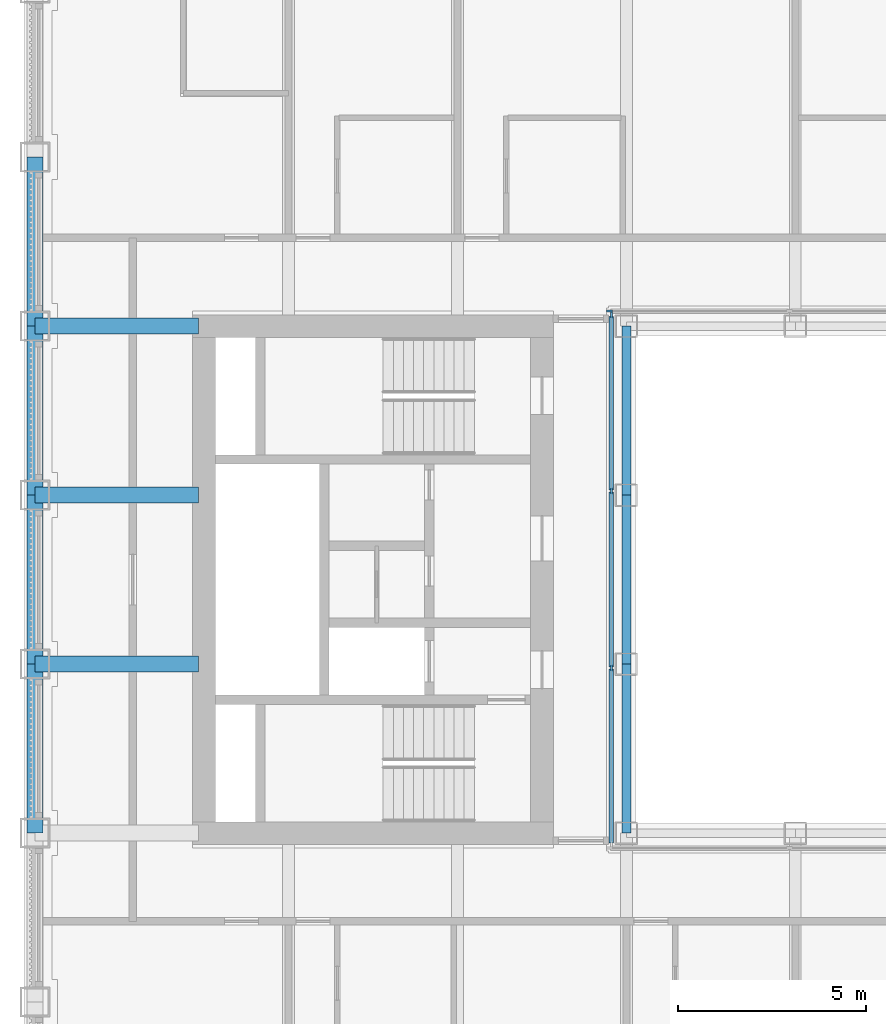
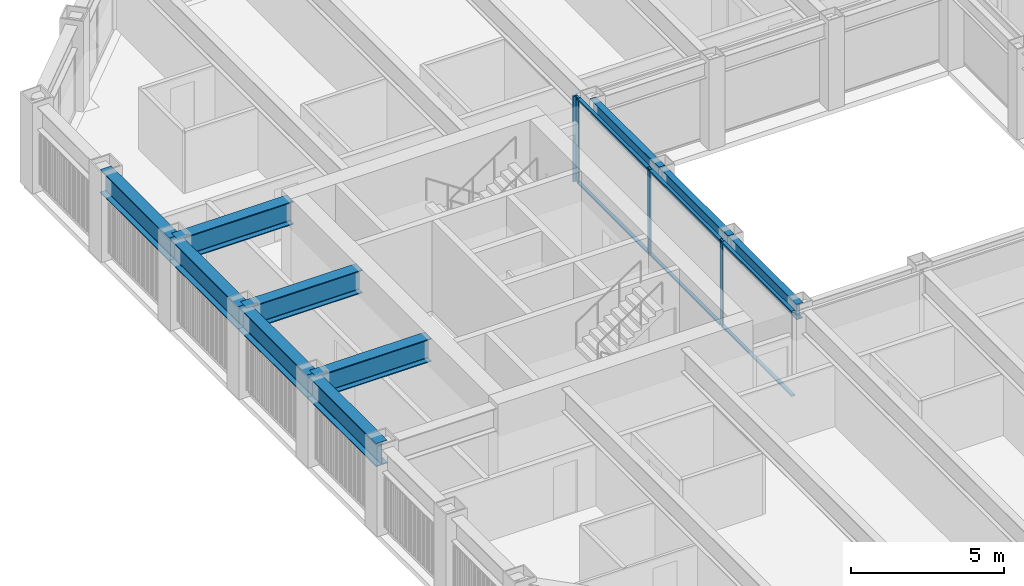
# One storey, part 4 of 17: 10 beams, 10 members, 2 elements without a shape of their own.
"""IFC4 building model written with IfcOpenShell, lengths in metres."""

from ifc_helpers import new_model, si_unit, direction, frame, origin, origin_2d, place, context, subcontext, project, spatial, rectangle, i_section, extrude, material, material_profile, profile_set, type_object, element, aggregate, save


model = new_model("IFC4")

# Units and contexts
model_context = context("Model", 3, precision=1e-05, world=origin(), true_north=direction((0.0, 1.0)))
body_context = subcontext(model_context, "Body", "Model", "MODEL_VIEW")
ifc_project = project(units=[si_unit("LENGTHUNIT", "METRE"), si_unit("AREAUNIT", "SQUARE_METRE"), si_unit("VOLUMEUNIT", "CUBIC_METRE"), si_unit("PLANEANGLEUNIT", "RADIAN"), si_unit("MASSUNIT", "GRAM", prefix="KILO")], contexts=[model_context])

# Site, building, storey
site_placement = place(None, origin())
site = spatial("IfcSite", under=ifc_project, at=site_placement, CompositionType="ELEMENT")
building_placement = place(site_placement, origin())
building = spatial("IfcBuilding", under=site, at=building_placement, Name="Msasa Ring Tower", CompositionType="ELEMENT")
storey_placement = place(building_placement, frame((0.0, 0.0, 154.39990234375)))
storey = spatial("IfcBuildingStorey", under=building, at=storey_placement, Name="L40", CompositionType="ELEMENT", Elevation=154.39990234375)

# Curtain wall, member
ifc_material_1 = material(Name="Aluminium curtain wall with clear glass", Category="aluminium")
curtain_wall_type = type_object("IfcCurtainWallType", Name="CW-W LIGHT WELL CURTAIN WALL", PredefinedType="NOTDEFINED", material=ifc_material_1)
curtain_wall_1_placement = place(storey_placement, origin())
curtain_wall_1 = element("IfcCurtainWall", 1, at=curtain_wall_1_placement, inside=storey, type_object=curtain_wall_type, Name="Light well curtain wall N L40", PredefinedType="NOTDEFINED")
ifc_material_2 = material(Name="Aluminium mullion", Category="aluminium")
ifc_material_profile_1 = material_profile(ifc_material_2, rectangle(XDim=0.06005859375, YDim=0.159912109375, at=origin_2d()), Name="AL 60x160")
ifc_profile_set_1 = profile_set([ifc_material_profile_1], Name="Aluminium mullion")
member_type_1 = type_object("IfcMemberType", Name="CW-W MULLION 60x160", PredefinedType="MULLION", material=ifc_profile_set_1)
member_1_placement = place(storey_placement, frame((-7.199951171875, 7.14990234375, 0.0), z_axis=(0.0, 0.0, 1.0), x_axis=(0.0, 1.0, 0.0)))
member_1 = element("IfcMember", 2, at=member_1_placement, type_object=member_type_1, Name="CW-W mullion 1", PredefinedType="MULLION", context=body_context, shape_type="SweptSolid", body=[
    extrude(rectangle(XDim=0.06005859375, YDim=0.159912109375, at=origin_2d()), origin(), (0.0, 0.0, 1.0), 3.400146484375),
])
aggregate(curtain_wall_1, [member_1])

# Curtain wall, members
curtain_wall_2_placement = place(storey_placement, origin())
curtain_wall_2 = element("IfcCurtainWall", 3, at=curtain_wall_2_placement, inside=storey, type_object=curtain_wall_type, Name="Light well curtain wall W L40", PredefinedType="NOTDEFINED")
member_2_placement = place(storey_placement, frame((-7.14990234375, -2.356689453125, 0.0), z_axis=(0.0, 0.0, 1.0), x_axis=(-1.0, 0.0, 0.0)))
member_2 = element("IfcMember", 4, at=member_2_placement, type_object=member_type_1, Name="CW-W mullion 2", PredefinedType="MULLION", context=body_context, shape_type="SweptSolid", body=[
    extrude(rectangle(XDim=0.06005859375, YDim=0.159912109375, at=origin_2d()), origin(), (0.0, 0.0, 1.0), 3.400146484375),
])
member_3_placement = place(storey_placement, frame((-7.14990234375, 2.356689453125, 0.0), z_axis=(0.0, 0.0, 1.0), x_axis=(-1.0, 0.0, 0.0)))
member_3 = element("IfcMember", 5, at=member_3_placement, type_object=member_type_1, Name="CW-W mullion 3", PredefinedType="MULLION", context=body_context, shape_type="SweptSolid", body=[
    extrude(rectangle(XDim=0.06005859375, YDim=0.159912109375, at=origin_2d()), origin(), (0.0, 0.0, 1.0), 3.400146484375),
])
member_4_placement = place(storey_placement, frame((-7.14990234375, 7.0400390625, 0.0), z_axis=(0.0, 0.0, 1.0), x_axis=(-1.0, 0.0, 0.0)))
member_4 = element("IfcMember", 6, at=member_4_placement, type_object=member_type_1, Name="CW-W mullion 4", PredefinedType="MULLION", context=body_context, shape_type="SweptSolid", body=[
    extrude(rectangle(XDim=0.06005859375, YDim=0.159912109375, at=origin_2d()), origin(), (0.0, 0.0, 1.0), 3.400146484375),
])
ifc_material_3 = material(Name="Aluminium transom", Category="aluminium")
ifc_material_profile_2 = material_profile(ifc_material_3, rectangle(XDim=0.1201171875, YDim=0.06005859375, at=origin_2d()), Name="AL 60x120")
ifc_profile_set_2 = profile_set([ifc_material_profile_2], Name="Aluminium transom")
member_type_2 = type_object("IfcMemberType", Name="CW-W TRANSOM 60x120", PredefinedType="USERDEFINED", material=ifc_profile_set_2)
member_5_placement = place(storey_placement, frame((-7.14990234375, -7.010009765625, 0.030029296875), z_axis=(0.0, 1.0, 0.0), x_axis=(-1.0, 0.0, 0.0)))
member_5 = element("IfcMember", 7, at=member_5_placement, type_object=member_type_2, Name="CW-W transom 1.1", ObjectType="TRANSOM", PredefinedType="USERDEFINED", context=body_context, shape_type="SweptSolid", body=[
    extrude(rectangle(XDim=0.1201171875, YDim=0.06005859375, at=origin_2d()), origin(), (0.0, 0.0, 1.0), 4.623291015625),
])
member_6_placement = place(storey_placement, frame((-7.14990234375, -7.010009765625, 3.3701171875), z_axis=(0.0, 1.0, 0.0), x_axis=(-1.0, 0.0, 0.0)))
member_6 = element("IfcMember", 8, at=member_6_placement, type_object=member_type_2, Name="CW-W transom 1.2", ObjectType="TRANSOM", PredefinedType="USERDEFINED", context=body_context, shape_type="SweptSolid", body=[
    extrude(rectangle(XDim=0.1201171875, YDim=0.06005859375, at=origin_2d()), origin(), (0.0, 0.0, 1.0), 4.623291015625),
])
member_7_placement = place(storey_placement, frame((-7.14990234375, -2.32666015625, 0.030029296875), z_axis=(0.0, 1.0, 0.0), x_axis=(-1.0, 0.0, 0.0)))
member_7 = element("IfcMember", 9, at=member_7_placement, type_object=member_type_2, Name="CW-W transom 2.1", ObjectType="TRANSOM", PredefinedType="USERDEFINED", context=body_context, shape_type="SweptSolid", body=[
    extrude(rectangle(XDim=0.1201171875, YDim=0.06005859375, at=origin_2d()), origin(), (0.0, 0.0, 1.0), 4.6533203125),
])
member_8_placement = place(storey_placement, frame((-7.14990234375, -2.32666015625, 3.3701171875), z_axis=(0.0, 1.0, 0.0), x_axis=(-1.0, 0.0, 0.0)))
member_8 = element("IfcMember", 10, at=member_8_placement, type_object=member_type_2, Name="CW-W transom 2.2", ObjectType="TRANSOM", PredefinedType="USERDEFINED", context=body_context, shape_type="SweptSolid", body=[
    extrude(rectangle(XDim=0.1201171875, YDim=0.06005859375, at=origin_2d()), origin(), (0.0, 0.0, 1.0), 4.6533203125),
])
member_9_placement = place(storey_placement, frame((-7.14990234375, 2.38671875, 0.030029296875), z_axis=(0.0, 1.0, 0.0), x_axis=(-1.0, 0.0, 0.0)))
member_9 = element("IfcMember", 11, at=member_9_placement, type_object=member_type_2, Name="CW-W transom 3.1", ObjectType="TRANSOM", PredefinedType="USERDEFINED", context=body_context, shape_type="SweptSolid", body=[
    extrude(rectangle(XDim=0.1201171875, YDim=0.06005859375, at=origin_2d()), origin(), (0.0, 0.0, 1.0), 4.623291015625),
])
member_10_placement = place(storey_placement, frame((-7.14990234375, 2.38671875, 3.3701171875), z_axis=(0.0, 1.0, 0.0), x_axis=(-1.0, 0.0, 0.0)))
member_10 = element("IfcMember", 12, at=member_10_placement, type_object=member_type_2, Name="CW-W transom 3.2", ObjectType="TRANSOM", PredefinedType="USERDEFINED", context=body_context, shape_type="SweptSolid", body=[
    extrude(rectangle(XDim=0.1201171875, YDim=0.06005859375, at=origin_2d()), origin(), (0.0, 0.0, 1.0), 4.623291015625),
])
aggregate(curtain_wall_2, [member_2, member_3, member_4, member_5, member_6, member_7, member_8, member_9, member_10])

# Beams
ifc_material_4 = material(Name="Steel S355", Category="steel")
ifc_material_profile_3 = material_profile(ifc_material_4, i_section(OverallWidth=0.42041015625, OverallDepth=0.9208984375, WebThickness=0.021484375, FlangeThickness=0.03662109375, FilletRadius=0.024169921875, at=origin_2d()), Name="UB 914x419x388")
ifc_profile_set_3 = profile_set([ifc_material_profile_3], Name="Steel S355")
beam_type_1 = type_object("IfcBeamType", Name="FB2 UB 914x419x388", PredefinedType="BEAM", material=ifc_profile_set_3)
for number, where, z_axis, x_axis, name in (
    (13, (-22.5, -2.25, 2.939697265625), (1.0, 0.0, 0.0), (0.0, 1.0, 0.0), "Floor beam W -2.25 under L41"),
    (14, (-22.5, 2.25, 2.939697265625), (1.0, 0.0, 0.0), (0.0, 1.0, 0.0), "Floor beam W +2.25 under L41"),
):
    element("IfcBeam", number, at=place(storey_placement, frame(where, z_axis=z_axis, x_axis=x_axis)), inside=storey, type_object=beam_type_1, Name=name, PredefinedType="BEAM", context=body_context, shape_type="SweptSolid", body=[
        extrude(i_section(OverallWidth=0.42041015625, OverallDepth=0.9208984375, WebThickness=0.021484375, FlangeThickness=0.03662109375, FilletRadius=0.024169921875, at=origin_2d()), origin(), (0.0, 0.0, 1.0), 4.35009765625),
    ])
ifc_material_5 = material(Name="Steel S355", Category="steel")
ifc_material_profile_4 = material_profile(ifc_material_5, i_section(OverallWidth=0.42041015625, OverallDepth=0.9208984375, WebThickness=0.021484375, FlangeThickness=0.03662109375, FilletRadius=0.024169921875, at=origin_2d()), Name="UB 914x419x388")
ifc_profile_set_4 = profile_set([ifc_material_profile_4], Name="Steel S355")
beam_type_2 = type_object("IfcBeamType", Name="GB1 UB 914x419x388", PredefinedType="BEAM", material=ifc_profile_set_4)
beam_placement = place(storey_placement, frame((-18.14990234375, 6.75, 2.939697265625), z_axis=(-1.0, 0.0, 0.0), x_axis=(0.0, -1.0, 0.0)))
element("IfcBeam", 15, at=beam_placement, inside=storey, type_object=beam_type_2, Name="Girder W +6.75 under L41", PredefinedType="BEAM", context=body_context, shape_type="SweptSolid", body=[
    extrude(i_section(OverallWidth=0.42041015625, OverallDepth=0.9208984375, WebThickness=0.021484375, FlangeThickness=0.03662109375, FilletRadius=0.024169921875, at=origin_2d()), origin(), (0.0, 0.0, 1.0), 4.35009765625),
])
ifc_material_6 = material(Name="Steel S355", Category="steel")
ifc_material_profile_5 = material_profile(ifc_material_6, i_section(OverallWidth=0.230224609375, OverallDepth=0.6171875, WebThickness=0.01318359375, FlangeThickness=0.022216796875, FilletRadius=0.0126953125, at=origin_2d()), Name="UB 610x229x140")
ifc_profile_set_5 = profile_set([ifc_material_profile_5], Name="Steel S355")
beam_type_3 = type_object("IfcBeamType", Name="RB1 UB 610x229x140", PredefinedType="BEAM", material=ifc_profile_set_5)
for number, where, z_axis, x_axis, name in (
    (16, (-6.75, -2.25, 3.091552734375), (0.0, -1.0, 0.0), (1.0, 0.0, 0.0), "Inner ring beam IR-6.75-2.25 under L41"),
    (17, (-6.75, 6.75, 3.091552734375), (0.0, -1.0, 0.0), (1.0, 0.0, 0.0), "Inner ring beam IR-6.75+6.75 under L41"),
    (18, (-6.75, 2.25, 3.091552734375), (0.0, -1.0, 0.0), (1.0, 0.0, 0.0), "Inner ring beam IR-6.75+2.25 under L41"),
):
    element("IfcBeam", number, at=place(storey_placement, frame(where, z_axis=z_axis, x_axis=x_axis)), inside=storey, type_object=beam_type_3, Name=name, PredefinedType="BEAM", context=body_context, shape_type="SweptSolid", body=[
        extrude(i_section(OverallWidth=0.230224609375, OverallDepth=0.6171875, WebThickness=0.01318359375, FlangeThickness=0.022216796875, FilletRadius=0.0126953125, at=origin_2d()), origin(), (0.0, 0.0, 1.0), 4.5),
    ])
ifc_material_7 = material(Name="Steel S355", Category="steel")
ifc_material_profile_6 = material_profile(ifc_material_7, i_section(OverallWidth=0.42041015625, OverallDepth=0.9208984375, WebThickness=0.021484375, FlangeThickness=0.03662109375, FilletRadius=0.024169921875, at=origin_2d()), Name="UB 914x419x388")
ifc_profile_set_6 = profile_set([ifc_material_profile_6], Name="Steel S355")
beam_type_4 = type_object("IfcBeamType", Name="SB1 UB 914x419x388", PredefinedType="SPANDREL", material=ifc_profile_set_6)
for number, where, z_axis, x_axis, name in (
    (19, (-22.5, -2.25, 2.939697265625), (0.0, -1.0, 0.0), (1.0, 0.0, 0.0), "Spandrel W-2.25 to W-6.75 under L41"),
    (20, (-22.5, 11.25, 2.939697265625), (0.0, -1.0, 0.0), (1.0, 0.0, 0.0), "Spandrel W+11.25 to W+6.75 under L41"),
    (21, (-22.5, 6.75, 2.939697265625), (0.0, -1.0, 0.0), (1.0, 0.0, 0.0), "Spandrel W+6.75 to W+2.25 under L41"),
    (22, (-22.5, 2.25, 2.939697265625), (0.0, -1.0, 0.0), (1.0, 0.0, 0.0), "Spandrel W+2.25 to W-2.25 under L41"),
):
    element("IfcBeam", number, at=place(storey_placement, frame(where, z_axis=z_axis, x_axis=x_axis)), inside=storey, type_object=beam_type_4, Name=name, PredefinedType="SPANDREL", context=body_context, shape_type="SweptSolid", body=[
        extrude(i_section(OverallWidth=0.42041015625, OverallDepth=0.9208984375, WebThickness=0.021484375, FlangeThickness=0.03662109375, FilletRadius=0.024169921875, at=origin_2d()), origin(), (0.0, 0.0, 1.0), 4.5),
    ])

save(model, "model.ifc")
